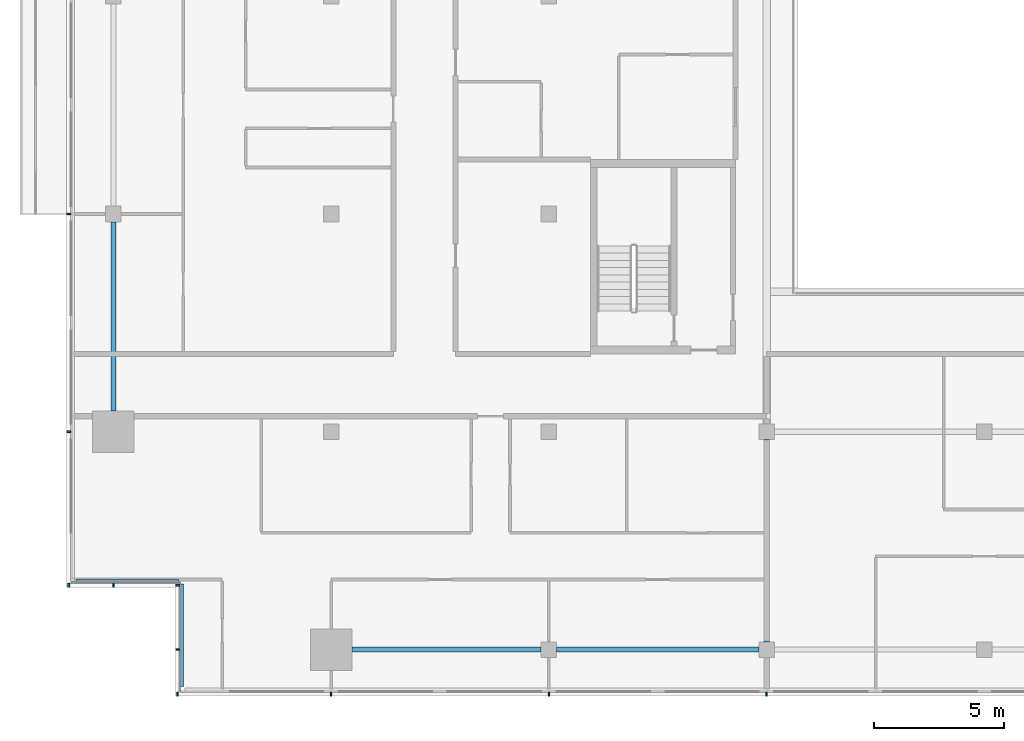
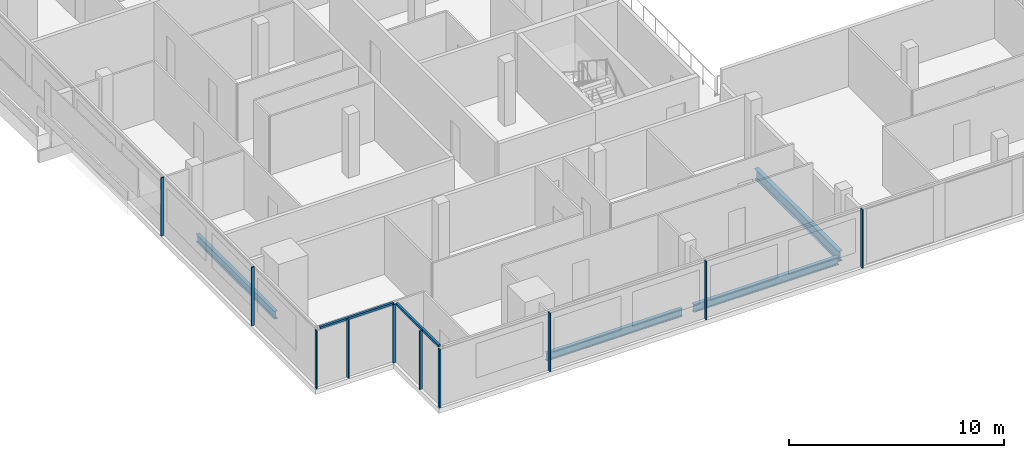
# One storey, part 2 of 28: 12 members, 4 beams, 4 elements without a shape of their own.
"""IFC4 building model written with IfcOpenShell, lengths in metres."""

from ifc_helpers import new_model, si_unit, direction, frame, origin, origin_2d, place, context, subcontext, project, spatial, rectangle, i_section, extrude, material, material_profile, profile_set, type_object, element, aggregate, save


model = new_model("IFC4")

# Units and contexts
model_context = context("Model", 3, precision=1e-05, world=origin(), true_north=direction((0.0, 1.0)))
body_context = subcontext(model_context, "Body", "Model", "MODEL_VIEW")
ifc_project = project(units=[si_unit("LENGTHUNIT", "METRE"), si_unit("AREAUNIT", "SQUARE_METRE"), si_unit("VOLUMEUNIT", "CUBIC_METRE"), si_unit("PLANEANGLEUNIT", "RADIAN"), si_unit("MASSUNIT", "GRAM", prefix="KILO")], contexts=[model_context])

# Site, building, storey
site_placement = place(None, origin())
site = spatial("IfcSite", under=ifc_project, at=site_placement, CompositionType="ELEMENT")
building_placement = place(site_placement, origin())
building = spatial("IfcBuilding", under=site, at=building_placement, Name="Saffron Gate Tower", CompositionType="ELEMENT")
storey_placement = place(building_placement, frame((0.0, 0.0, 241.5)))
storey = spatial("IfcBuildingStorey", under=building, at=storey_placement, Name="L59", CompositionType="ELEMENT", Elevation=241.5)

# Beams
ifc_material_1 = material(Name="Structural steel S355", Category="steel")
ifc_material_profile_1 = material_profile(ifc_material_1, i_section(OverallWidth=0.219970703125, OverallDepth=0.60009765625, WebThickness=0.011962890625, FlangeThickness=0.01904296875, FilletRadius=0.02392578125, at=origin_2d()))
ifc_profile_set_1 = profile_set([ifc_material_profile_1], Name="Structural steel S355")
beam_type_1 = type_object("IfcBeamType", Name="B15 IPE 600", PredefinedType="BEAM", material=ifc_profile_set_1)
beam_1_placement = place(storey_placement, frame((75.0, 32.10009765625, -0.580078125), z_axis=(0.0, 1.0, 0.0), x_axis=(-1.0, 0.0, 0.0)))
element("IfcBeam", 1, at=beam_1_placement, inside=storey, type_object=beam_type_1, Name="B15 FLOOR GIRDER", PredefinedType="BEAM", context=body_context, shape_type="SweptSolid", body=[
    extrude(i_section(OverallWidth=0.219970703125, OverallDepth=0.60009765625, WebThickness=0.011962890625, FlangeThickness=0.01904296875, FilletRadius=0.02392578125, at=origin_2d()), origin(), (0.0, 0.0, 1.0), 7.7998046875),
])
ifc_material_profile_2 = material_profile(ifc_material_1, i_section(OverallWidth=0.18994140625, OverallDepth=0.449951171875, WebThickness=0.009521484375, FlangeThickness=0.0146484375, FilletRadius=0.02099609375, at=origin_2d()))
ifc_profile_set_2 = profile_set([ifc_material_profile_2], Name="Structural steel S355")
beam_type_2 = type_object("IfcBeamType", Name="B7 IPE 450", PredefinedType="SPANDREL", material=ifc_profile_set_2)
for number, where, z_axis, x_axis, name in (
    (2, (49.800048828125, 41.0, -0.5048828125), (0.0, 1.0, 0.0), (-1.0, 0.0, 0.0), "B7 SPANDREL BEAM"),
    (3, (59.0, 31.800048828125, -0.5048828125), (1.0, 0.0, 0.0), (0.0, 1.0, 0.0), "B7 SPANDREL BEAM"),
):
    element("IfcBeam", number, at=place(storey_placement, frame(where, z_axis=z_axis, x_axis=x_axis)), inside=storey, type_object=beam_type_2, Name=name, PredefinedType="SPANDREL", context=body_context, shape_type="SweptSolid", body=[
        extrude(i_section(OverallWidth=0.18994140625, OverallDepth=0.449951171875, WebThickness=0.009521484375, FlangeThickness=0.0146484375, FilletRadius=0.02099609375, at=origin_2d()), origin(), (0.0, 0.0, 1.0), 7.300048828125),
    ])
beam_2_placement = place(storey_placement, frame((66.89990234375, 31.800048828125, -0.5048828125), z_axis=(1.0, 0.0, 0.0), x_axis=(0.0, 1.0, 0.0)))
element("IfcBeam", 4, at=beam_2_placement, inside=storey, type_object=beam_type_2, Name="B7 SPANDREL BEAM", PredefinedType="SPANDREL", context=body_context, shape_type="SweptSolid", body=[
    extrude(i_section(OverallWidth=0.18994140625, OverallDepth=0.449951171875, WebThickness=0.009521484375, FlangeThickness=0.0146484375, FilletRadius=0.02099609375, at=origin_2d()), origin(), (0.0, 0.0, 1.0), 7.800048828125),
])

# Curtain wall, members
ifc_material_2 = material(Name="Aluminium, bronze anodised", Category="aluminium")
curtain_wall_type_1 = type_object("IfcCurtainWallType", Name="CWS1 curtain wall front facade", PredefinedType="NOTDEFINED", material=ifc_material_2)
curtain_wall_1_placement = place(storey_placement, origin())
curtain_wall_1 = element("IfcCurtainWall", 5, at=curtain_wall_1_placement, inside=storey, type_object=curtain_wall_type_1, Name="CWS1 run 1", PredefinedType="NOTDEFINED")
ifc_material_profile_3 = material_profile(ifc_material_2, rectangle(XDim=0.159912109375, YDim=0.06005859375, at=origin_2d()))
ifc_profile_set_3 = profile_set([ifc_material_profile_3], Name="Aluminium, bronze anodised")
member_type_1 = type_object("IfcMemberType", Name="CWS1 mullion 60x160", PredefinedType="MULLION", material=ifc_profile_set_3)
member_1_placement = place(storey_placement, frame((52.280029296875, 30.080078125, 0.0), z_axis=(0.0, 0.0, 1.0), x_axis=(0.0, 1.0, 0.0)))
member_1 = element("IfcMember", 6, at=member_1_placement, type_object=member_type_1, Name="CWS1 mullion 1", PredefinedType="MULLION", context=body_context, shape_type="SweptSolid", body=[
    extrude(rectangle(XDim=0.159912109375, YDim=0.06005859375, at=origin_2d()), origin(), (0.0, 0.0, 1.0), 3.320068359375),
])
member_2_placement = place(storey_placement, frame((58.199951171875, 30.080078125, 0.0), z_axis=(0.0, 0.0, 1.0), x_axis=(0.0, 1.0, 0.0)))
member_2 = element("IfcMember", 7, at=member_2_placement, type_object=member_type_1, Name="CWS1 mullion 2", PredefinedType="MULLION", context=body_context, shape_type="SweptSolid", body=[
    extrude(rectangle(XDim=0.159912109375, YDim=0.06005859375, at=origin_2d()), origin(), (0.0, 0.0, 1.0), 3.320068359375),
])
member_3_placement = place(storey_placement, frame((66.60009765625, 30.080078125, 0.0), z_axis=(0.0, 0.0, 1.0), x_axis=(0.0, 1.0, 0.0)))
member_3 = element("IfcMember", 8, at=member_3_placement, type_object=member_type_1, Name="CWS1 mullion 3", PredefinedType="MULLION", context=body_context, shape_type="SweptSolid", body=[
    extrude(rectangle(XDim=0.159912109375, YDim=0.06005859375, at=origin_2d()), origin(), (0.0, 0.0, 1.0), 3.320068359375),
])
member_4_placement = place(storey_placement, frame((75.0, 30.080078125, 0.0), z_axis=(0.0, 0.0, 1.0), x_axis=(0.0, 1.0, 0.0)))
member_4 = element("IfcMember", 9, at=member_4_placement, type_object=member_type_1, Name="CWS1 mullion 4", PredefinedType="MULLION", context=body_context, shape_type="SweptSolid", body=[
    extrude(rectangle(XDim=0.159912109375, YDim=0.06005859375, at=origin_2d()), origin(), (0.0, 0.0, 1.0), 3.320068359375),
])
aggregate(curtain_wall_1, [member_1, member_2, member_3, member_4])

curtain_wall_type_2 = type_object("IfcCurtainWallType", Name="CWS2 curtain wall side facades", PredefinedType="NOTDEFINED", material=ifc_material_2)
curtain_wall_2_placement = place(storey_placement, origin())
curtain_wall_2 = element("IfcCurtainWall", 10, at=curtain_wall_2_placement, inside=storey, type_object=curtain_wall_type_2, Name="CWS2 run 10", PredefinedType="NOTDEFINED")
ifc_material_profile_4 = material_profile(ifc_material_2, rectangle(XDim=0.159912109375, YDim=0.06005859375, at=origin_2d()))
ifc_profile_set_4 = profile_set([ifc_material_profile_4], Name="Aluminium, bronze anodised")
member_type_2 = type_object("IfcMemberType", Name="CWS2 mullion 60x160", PredefinedType="MULLION", material=ifc_profile_set_4)
member_5_placement = place(storey_placement, frame((48.080078125, 48.60009765625, 0.0), z_axis=(0.0, 0.0, 1.0), x_axis=(1.0, 0.0, 0.0)))
member_5 = element("IfcMember", 11, at=member_5_placement, type_object=member_type_2, Name="CWS2 mullion 4", PredefinedType="MULLION", context=body_context, shape_type="SweptSolid", body=[
    extrude(rectangle(XDim=0.159912109375, YDim=0.06005859375, at=origin_2d()), origin(), (0.0, 0.0, 1.0), 3.320068359375),
])
member_6_placement = place(storey_placement, frame((48.080078125, 40.199951171875, 0.0), z_axis=(0.0, 0.0, 1.0), x_axis=(1.0, 0.0, 0.0)))
member_6 = element("IfcMember", 12, at=member_6_placement, type_object=member_type_2, Name="CWS2 mullion 5", PredefinedType="MULLION", context=body_context, shape_type="SweptSolid", body=[
    extrude(rectangle(XDim=0.159912109375, YDim=0.06005859375, at=origin_2d()), origin(), (0.0, 0.0, 1.0), 3.320068359375),
])
aggregate(curtain_wall_2, [member_5, member_6])

# Curtain wall, member
curtain_wall_type_3 = type_object("IfcCurtainWallType", Name="CWS4 curtain wall corner returns", PredefinedType="NOTDEFINED", material=ifc_material_2)
curtain_wall_3_placement = place(storey_placement, origin())
curtain_wall_3 = element("IfcCurtainWall", 13, at=curtain_wall_3_placement, inside=storey, type_object=curtain_wall_type_3, Name="CWS4 run 11", PredefinedType="NOTDEFINED")
ifc_material_profile_5 = material_profile(ifc_material_2, rectangle(XDim=0.1201171875, YDim=0.1201171875, at=origin_2d()))
ifc_profile_set_5 = profile_set([ifc_material_profile_5], Name="Aluminium, bronze anodised")
member_type_3 = type_object("IfcMemberType", Name="CWS4 head transom", PredefinedType="USERDEFINED", material=ifc_profile_set_5)
member_7_placement = place(storey_placement, frame((48.367919921875, 34.447998046875, 3.260009765625), z_axis=(1.0, 0.0, 0.0), x_axis=(0.0, 1.0, 0.0)))
member_7 = element("IfcMember", 14, at=member_7_placement, type_object=member_type_3, Name="CWS4 head transom", ObjectType="TRANSOM", PredefinedType="USERDEFINED", context=body_context, shape_type="SweptSolid", body=[
    extrude(rectangle(XDim=0.1201171875, YDim=0.1201171875, at=origin_2d()), origin(), (0.0, 0.0, 1.0), 3.9599609375),
])

curtain_wall_4_placement = place(storey_placement, origin())
curtain_wall_4 = element("IfcCurtainWall", 15, at=curtain_wall_4_placement, inside=storey, type_object=curtain_wall_type_3, Name="CWS4 run 12", PredefinedType="NOTDEFINED")
member_8_placement = place(storey_placement, frame((52.447998046875, 34.327880859375, 3.260009765625), z_axis=(0.0, -1.0, 0.0), x_axis=(1.0, 0.0, 0.0)))
member_8 = element("IfcMember", 16, at=member_8_placement, type_object=member_type_3, Name="CWS4 head transom", ObjectType="TRANSOM", PredefinedType="USERDEFINED", context=body_context, shape_type="SweptSolid", body=[
    extrude(rectangle(XDim=0.1201171875, YDim=0.1201171875, at=origin_2d()), origin(), (0.0, 0.0, 1.0), 3.9599609375),
])

# Member
ifc_material_profile_6 = material_profile(ifc_material_2, rectangle(XDim=0.159912109375, YDim=0.06005859375, at=origin_2d()))
ifc_profile_set_6 = profile_set([ifc_material_profile_6], Name="Aluminium, bronze anodised")
member_type_4 = type_object("IfcMemberType", Name="CWS4 mullion 60x160", PredefinedType="MULLION", material=ifc_profile_set_6)
member_9_placement = place(storey_placement, frame((48.080078125, 34.280029296875, 0.0), z_axis=(0.0, 0.0, 1.0), x_axis=(0.0, 1.0, 0.0)))
member_9 = element("IfcMember", 17, at=member_9_placement, type_object=member_type_4, Name="CWS4 mullion 1", PredefinedType="MULLION", context=body_context, shape_type="SweptSolid", body=[
    extrude(rectangle(XDim=0.159912109375, YDim=0.06005859375, at=origin_2d()), origin(), (0.0, 0.0, 1.0), 3.320068359375),
])

member_10_placement = place(storey_placement, frame((49.800048828125, 34.280029296875, 0.0), z_axis=(0.0, 0.0, 1.0), x_axis=(0.0, 1.0, 0.0)))
member_10 = element("IfcMember", 18, at=member_10_placement, type_object=member_type_4, Name="CWS4 mullion 2", PredefinedType="MULLION", context=body_context, shape_type="SweptSolid", body=[
    extrude(rectangle(XDim=0.159912109375, YDim=0.06005859375, at=origin_2d()), origin(), (0.0, 0.0, 1.0), 3.320068359375),
])

aggregate(curtain_wall_3, [member_9, member_10, member_7])

member_11_placement = place(storey_placement, frame((52.280029296875, 34.280029296875, 0.0), z_axis=(0.0, 0.0, 1.0), x_axis=(1.0, 0.0, 0.0)))
member_11 = element("IfcMember", 19, at=member_11_placement, type_object=member_type_4, Name="CWS4 mullion 1", PredefinedType="MULLION", context=body_context, shape_type="SweptSolid", body=[
    extrude(rectangle(XDim=0.159912109375, YDim=0.06005859375, at=origin_2d()), origin(), (0.0, 0.0, 1.0), 3.320068359375),
])

member_12_placement = place(storey_placement, frame((52.280029296875, 31.800048828125, 0.0), z_axis=(0.0, 0.0, 1.0), x_axis=(1.0, 0.0, 0.0)))
member_12 = element("IfcMember", 20, at=member_12_placement, type_object=member_type_4, Name="CWS4 mullion 2", PredefinedType="MULLION", context=body_context, shape_type="SweptSolid", body=[
    extrude(rectangle(XDim=0.159912109375, YDim=0.06005859375, at=origin_2d()), origin(), (0.0, 0.0, 1.0), 3.320068359375),
])

aggregate(curtain_wall_4, [member_11, member_12, member_8])

save(model, "model.ifc")
